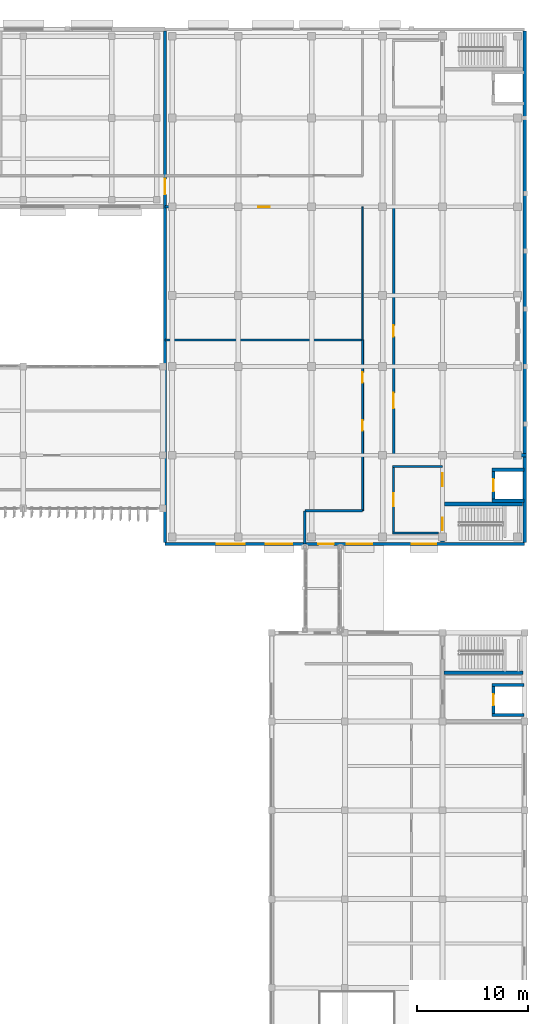
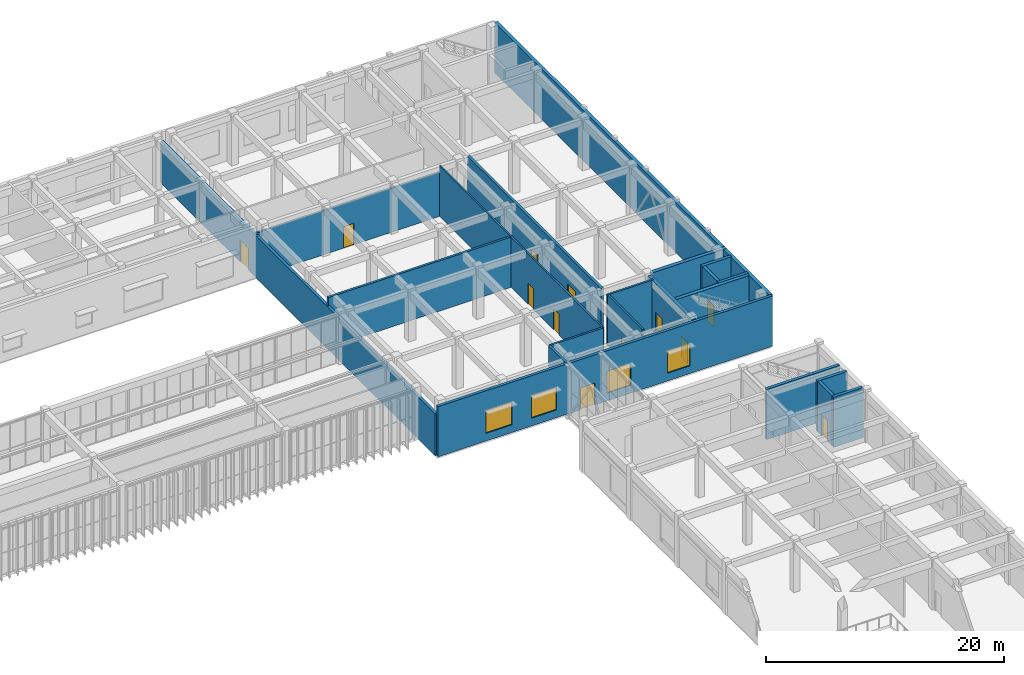
# One storey, part 44 of 64: 23 walls, 12 doors, 4 windows, 16 openings.
"""IFC4 building model written with IfcOpenShell, lengths in metres."""

from ifc_helpers import new_model, si_unit, direction, frame, frame_2d, origin, place, context, subcontext, project, spatial, rectangle, extrude, material, layer, layer_set, type_object, element, fill, save


model = new_model("IFC4")

# Units and contexts
model_context = context("Model", 3, precision=1e-05, world=origin(), true_north=direction((0.0, 1.0)))
body_context = subcontext(model_context, "Body", "Model", "MODEL_VIEW")
ifc_project = project(units=[si_unit("LENGTHUNIT", "METRE"), si_unit("AREAUNIT", "SQUARE_METRE"), si_unit("VOLUMEUNIT", "CUBIC_METRE"), si_unit("PLANEANGLEUNIT", "RADIAN"), si_unit("MASSUNIT", "GRAM", prefix="KILO")], contexts=[model_context])

# Site, building, storey
site_placement = place(None, origin())
site = spatial("IfcSite", under=ifc_project, at=site_placement, CompositionType="ELEMENT")
building_placement = place(site_placement, origin())
building = spatial("IfcBuilding", under=site, at=building_placement, Name="Cinchona Park Media Centre", CompositionType="ELEMENT")
storey_placement = place(building_placement, frame((0.0, 0.0, 10.199951171875)))
storey = spatial("IfcBuildingStorey", under=building, at=storey_placement, Name="L02", CompositionType="ELEMENT", Elevation=10.199951171875)

# Walls
ifc_material_1 = material(Name="Acoustic Double-Stud Gypsum Partition", Category="gypsum")
ifc_layer_1 = layer(ifc_material_1, 0.2099609375)
ifc_layer_set_1 = layer_set([ifc_layer_1], Name="Acoustic Double-Stud Gypsum Partition")
wall_type_1 = type_object("IfcWallType", Name="WALL-W-AC210", PredefinedType="PARTITIONING", material=ifc_layer_set_1)
wall_1_placement = place(storey_placement, frame((152.199951171875, 71.60009765625, 0.0), z_axis=(0.0, 0.0, 1.0), x_axis=(0.0, 1.0, 0.0)))
element("IfcWall", 1, at=wall_1_placement, inside=storey, type_object=wall_type_1, Name="Interior Wall W-AC210 L02", PredefinedType="PARTITIONING", context=body_context, shape_type="SweptSolid", body=[
    extrude(rectangle(XDim=3.0, YDim=0.2099609375, at=frame_2d((1.5, 0.0))), origin(), (0.0, 0.0, 1.0), 5.16015625),
])
wall_2_placement = place(storey_placement, frame((139.60009765625, 90.0, 0.0), z_axis=(0.0, 0.0, 1.0), x_axis=(1.0, 0.0, 0.0)))
element("IfcWall", 2, at=wall_2_placement, inside=storey, type_object=wall_type_1, Name="Interior Wall W-AC210 L02", PredefinedType="PARTITIONING", context=body_context, shape_type="SweptSolid", body=[
    extrude(rectangle(XDim=17.7998046875, YDim=0.2099609375, at=frame_2d((8.89990234375, 0.0))), origin(), (0.0, 0.0, 1.0), 5.16015625),
])

# Wall, openings, doors
ifc_material_2 = material(Name="Acoustic Double-Stud Gypsum Partition", Category="gypsum")
ifc_layer_2 = layer(ifc_material_2, 0.239990234375)
ifc_layer_set_2 = layer_set([ifc_layer_2], Name="Acoustic Double-Stud Gypsum Partition")
wall_type_2 = type_object("IfcWallType", Name="WALL-W-AC240", PredefinedType="PARTITIONING", material=ifc_layer_set_2)
wall_3_placement = place(storey_placement, frame((160.199951171875, 102.0, 0.0), z_axis=(0.0, 0.0, 1.0), x_axis=(0.0, -1.0, 0.0)))
wall_3 = element("IfcWall", 3, at=wall_3_placement, inside=storey, type_object=wall_type_2, Name="Interior Wall W-AC240 L02", PredefinedType="PARTITIONING", context=body_context, shape_type="SweptSolid", body=[
    extrude(rectangle(XDim=22.39990234375, YDim=0.239990234375, at=frame_2d((11.199951171875, 0.0))), origin(), (0.0, 0.0, 1.0), 5.16015625),
])
opening_1_placement = place(wall_3_placement, frame((10.699951171875, 0.0, 0.0)))
opening_1 = element("IfcOpeningElement", 4, at=opening_1_placement, cuts=wall_3, Name="Opening D298", PredefinedType="OPENING", context=body_context, shape_type="SweptSolid", body=[
    extrude(rectangle(XDim=1.0, YDim=2.10009765625, at=frame_2d((0.5, 1.050048828125))), frame((0.0, 0.1298828125, 0.0), z_axis=(0.0, -1.0, 0.0), x_axis=(1.0, 0.0, 0.0)), (0.0, 0.0, 1.0), 0.260009765625),
])
opening_2_placement = place(wall_3_placement, frame((16.77197265625, 0.0, 0.0)))
opening_2 = element("IfcOpeningElement", 5, at=opening_2_placement, cuts=wall_3, Name="Opening D299", PredefinedType="OPENING", context=body_context, shape_type="SweptSolid", body=[
    extrude(rectangle(XDim=1.39990234375, YDim=2.25, at=frame_2d((0.699951171875, 1.125))), frame((0.0, 0.1298828125, 0.0), z_axis=(0.0, -1.0, 0.0), x_axis=(1.0, 0.0, 0.0)), (0.0, 0.0, 1.0), 0.260009765625),
])
ifc_material_3 = material(Name="Acoustic Double-Seal Steel Door", Category="steel")
door_type_1 = type_object("IfcDoorType", Name="DOOR-DT-AC", OperationType="NOTDEFINED", PredefinedType="DOOR", material=ifc_material_3)
door_1_placement = place(opening_2_placement, origin())
door_1 = element("IfcDoor", 6, at=door_1_placement, inside=storey, type_object=door_type_1, Name="Interior Door D299", OperationType="SINGLE_SWING_LEFT", OverallHeight=2.25, OverallWidth=1.39990234375, PredefinedType="DOOR", context=body_context, shape_type="SweptSolid", body=[
    extrude(rectangle(XDim=1.39990234375, YDim=2.25, at=frame_2d((0.699951171875, 1.125))), frame((0.0, 0.02490234375, 0.0), z_axis=(0.0, -1.0, 0.0), x_axis=(1.0, 0.0, 0.0)), (0.0, 0.0, 1.0), 0.050048828125),
])
fill(opening_2, door_1)
ifc_material_4 = material(Name="Fire-Rated Acoustic Timber-Steel Door", Category="steel")
door_type_2 = type_object("IfcDoorType", Name="DOOR-DT04", OperationType="NOTDEFINED", PredefinedType="DOOR", material=ifc_material_4)
door_2_placement = place(opening_1_placement, origin())
door_2 = element("IfcDoor", 7, at=door_2_placement, inside=storey, type_object=door_type_2, Name="Interior Door D298", OperationType="SINGLE_SWING_RIGHT", OverallHeight=2.10009765625, OverallWidth=1.0, PredefinedType="DOOR", context=body_context, shape_type="SweptSolid", body=[
    extrude(rectangle(XDim=1.0, YDim=2.10009765625, at=frame_2d((0.5, 1.050048828125))), frame((0.0, 0.02490234375, 0.0), z_axis=(0.0, -1.0, 0.0), x_axis=(1.0, 0.0, 0.0)), (0.0, 0.0, 1.0), 0.050048828125),
])
fill(opening_1, door_2)

# Wall
ifc_material_5 = material(Name="Concrete C40/50", Category="concrete")
ifc_layer_3 = layer(ifc_material_5, 0.35009765625)
ifc_layer_set_3 = layer_set([ifc_layer_3], Name="Concrete C40/50")
wall_type_3 = type_object("IfcWallType", Name="WALL-W-CR350", PredefinedType="SHEAR", material=ifc_layer_set_3)
wall_4_placement = place(storey_placement, frame((164.951904296875, 79.60009765625, 0.0), z_axis=(0.0, 0.0, 1.0), x_axis=(1.0, 0.0, 0.0)))
element("IfcWall", 8, at=wall_4_placement, inside=storey, type_object=wall_type_3, Name="Core Shear Wall W-CR350 L02", PredefinedType="SHEAR", context=body_context, shape_type="SweptSolid", body=[
    extrude(rectangle(XDim=7.22314453125, YDim=0.35009765625, at=frame_2d((3.611572265625, 0.0))), origin(), (0.0, 0.0, 1.0), 5.16015625),
])

# Wall, openings, doors
wall_5_placement = place(storey_placement, frame((164.60009765625, 71.77490234375, 0.0), z_axis=(0.0, 0.0, 1.0), x_axis=(0.0, 1.0, 0.0)))
wall_5 = element("IfcWall", 9, at=wall_5_placement, inside=storey, type_object=wall_type_3, Name="Core Shear Wall W-CR350 L02", PredefinedType="SHEAR", context=body_context, shape_type="SweptSolid", body=[
    extrude(rectangle(XDim=7.47314453125, YDim=0.35009765625, at=frame_2d((3.736572265625, 0.0))), origin(), (0.0, 0.0, 1.0), 5.16015625),
])
opening_3_placement = place(wall_5_placement, frame((1.074951171875, 0.0, 0.0)))
opening_3 = element("IfcOpeningElement", 10, at=opening_3_placement, cuts=wall_5, Name="Opening D074", PredefinedType="OPENING", context=body_context, shape_type="SweptSolid", body=[
    extrude(rectangle(XDim=1.10009765625, YDim=2.14990234375, at=frame_2d((0.550048828125, 1.074951171875))), frame((0.0, 0.18505859375, 0.0), z_axis=(0.0, -1.0, 0.0), x_axis=(1.0, 0.0, 0.0)), (0.0, 0.0, 1.0), 0.3701171875),
])
opening_4_placement = place(wall_5_placement, frame((5.050048828125, 0.0, 0.0)))
opening_4 = element("IfcOpeningElement", 11, at=opening_4_placement, cuts=wall_5, Name="Opening D075", PredefinedType="OPENING", context=body_context, shape_type="SweptSolid", body=[
    extrude(rectangle(XDim=1.14990234375, YDim=2.199951171875, at=frame_2d((0.574951171875, 1.10009765625))), frame((0.0, 0.18505859375, 0.0), z_axis=(0.0, -1.0, 0.0), x_axis=(1.0, 0.0, 0.0)), (0.0, 0.0, 1.0), 0.3701171875),
])
ifc_material_6 = material(Name="Insulated Fire-Rated Steel Door", Category="steel")
door_type_3 = type_object("IfcDoorType", Name="DOOR-DT-FF", OperationType="NOTDEFINED", PredefinedType="DOOR", material=ifc_material_6)
door_3_placement = place(opening_4_placement, origin())
door_3 = element("IfcDoor", 12, at=door_3_placement, inside=storey, type_object=door_type_3, Name="Interior Door D075", OperationType="SINGLE_SWING_LEFT", OverallHeight=2.199951171875, OverallWidth=1.14990234375, PredefinedType="DOOR", context=body_context, shape_type="SweptSolid", body=[
    extrude(rectangle(XDim=1.14990234375, YDim=2.199951171875, at=frame_2d((0.574951171875, 1.10009765625))), frame((0.0, 0.02490234375, 0.0), z_axis=(0.0, -1.0, 0.0), x_axis=(1.0, 0.0, 0.0)), (0.0, 0.0, 1.0), 0.050048828125),
])
fill(opening_4, door_3)
ifc_material_7 = material(Name="Insulated Fire-Rated Steel Door", Category="steel")
door_type_4 = type_object("IfcDoorType", Name="DOOR-DT-ST", OperationType="NOTDEFINED", PredefinedType="DOOR", material=ifc_material_7)
door_4_placement = place(opening_3_placement, origin())
door_4 = element("IfcDoor", 13, at=door_4_placement, inside=storey, type_object=door_type_4, Name="Interior Door D074", OperationType="SINGLE_SWING_RIGHT", OverallHeight=2.14990234375, OverallWidth=1.10009765625, PredefinedType="DOOR", context=body_context, shape_type="SweptSolid", body=[
    extrude(rectangle(XDim=1.10009765625, YDim=2.14990234375, at=frame_2d((0.550048828125, 1.074951171875))), frame((0.0, 0.02490234375, 0.0), z_axis=(0.0, -1.0, 0.0), x_axis=(1.0, 0.0, 0.0)), (0.0, 0.0, 1.0), 0.050048828125),
])
fill(opening_3, door_4)

# Walls
wall_6_placement = place(storey_placement, frame((164.77490234375, 75.199951171875, 0.0), z_axis=(0.0, 0.0, 1.0), x_axis=(1.0, 0.0, 0.0)))
element("IfcWall", 14, at=wall_6_placement, inside=storey, type_object=wall_type_3, Name="Core Shear Wall W-CR350 L02", PredefinedType="SHEAR", context=body_context, shape_type="SweptSolid", body=[
    extrude(rectangle(XDim=7.050048828125, YDim=0.35009765625, at=frame_2d((3.52490234375, 0.0))), origin(), (0.0, 0.0, 1.0), 5.16015625),
])
ifc_material_8 = material(Name="Precast concrete C40/50", Category="concrete")
ifc_layer_4 = layer(ifc_material_8, 0.320068359375)
ifc_layer_set_4 = layer_set([ifc_layer_4], Name="Precast concrete C40/50")
wall_type_4 = type_object("IfcWallType", Name="WALL-W-EX02", PredefinedType="SOLIDWALL", material=ifc_layer_set_4)
wall_7_placement = place(storey_placement, frame((172.0, 117.860107421875, 0.0), z_axis=(0.0, 0.0, 1.0), x_axis=(0.0, -1.0, 0.0)))
element("IfcWall", 15, at=wall_7_placement, inside=storey, type_object=wall_type_4, Name="Exterior Wall W-EX02 V7 L02", PredefinedType="SOLIDWALL", context=body_context, shape_type="SweptSolid", body=[
    extrude(rectangle(XDim=46.1201171875, YDim=0.320068359375, at=frame_2d((23.06005859375, 0.0))), origin(), (0.0, 0.0, 1.0), 5.16015625),
])

# Wall, openings, door, windows
ifc_material_9 = material(Name="Precast concrete C40/50", Category="concrete")
ifc_layer_5 = layer(ifc_material_9, 0.27490234375)
ifc_layer_set_5 = layer_set([ifc_layer_5], Name="Precast concrete C40/50")
wall_type_5 = type_object("IfcWallType", Name="WALL-W-EX03", PredefinedType="SOLIDWALL", material=ifc_layer_set_5)
wall_8_placement = place(storey_placement, frame((172.0, 71.60009765625, 0.0), z_axis=(0.0, 0.0, 1.0), x_axis=(-1.0, 0.0, 0.0)))
wall_8 = element("IfcWall", 16, at=wall_8_placement, inside=storey, type_object=wall_type_5, Name="Exterior Wall W-EX03 V7 L02", PredefinedType="SOLIDWALL", context=body_context, shape_type="SweptSolid", body=[
    extrude(rectangle(XDim=32.39990234375, YDim=0.27490234375, at=frame_2d((16.199951171875, 0.0))), origin(), (0.0, 0.0, 1.0), 5.16015625),
])
opening_5_placement = place(wall_8_placement, frame((7.9599609375, 0.0, 0.800048828125)))
opening_5 = element("IfcOpeningElement", 17, at=opening_5_placement, cuts=wall_8, Name="Opening WN09", PredefinedType="OPENING", context=body_context, shape_type="SweptSolid", body=[
    extrude(rectangle(XDim=2.199951171875, YDim=2.25, at=frame_2d((1.10009765625, 1.125))), frame((0.0, 0.1474609375, 0.0), z_axis=(0.0, -1.0, 0.0), x_axis=(1.0, 0.0, 0.0)), (0.0, 0.0, 1.0), 0.294921875),
])
opening_6_placement = place(wall_8_placement, frame((13.719970703125, 0.0, 0.800048828125)))
opening_6 = element("IfcOpeningElement", 18, at=opening_6_placement, cuts=wall_8, Name="Opening WN10", PredefinedType="OPENING", context=body_context, shape_type="SweptSolid", body=[
    extrude(rectangle(XDim=2.300048828125, YDim=2.25, at=frame_2d((1.14990234375, 1.125))), frame((0.0, 0.1474609375, 0.0), z_axis=(0.0, -1.0, 0.0), x_axis=(1.0, 0.0, 0.0)), (0.0, 0.0, 1.0), 0.294921875),
])
opening_7_placement = place(wall_8_placement, frame((20.929931640625, 0.0, 0.800048828125)))
opening_7 = element("IfcOpeningElement", 19, at=opening_7_placement, cuts=wall_8, Name="Opening WN11", PredefinedType="OPENING", context=body_context, shape_type="SweptSolid", body=[
    extrude(rectangle(XDim=2.39990234375, YDim=2.300048828125, at=frame_2d((1.199951171875, 1.14990234375))), frame((0.0, 0.1474609375, 0.0), z_axis=(0.0, -1.0, 0.0), x_axis=(1.0, 0.0, 0.0)), (0.0, 0.0, 1.0), 0.294921875),
])
opening_8_placement = place(wall_8_placement, frame((25.239990234375, 0.0, 0.800048828125)))
opening_8 = element("IfcOpeningElement", 20, at=opening_8_placement, cuts=wall_8, Name="Opening WN12", PredefinedType="OPENING", context=body_context, shape_type="SweptSolid", body=[
    extrude(rectangle(XDim=2.5, YDim=2.300048828125, at=frame_2d((1.25, 1.14990234375))), frame((0.0, 0.1474609375, 0.0), z_axis=(0.0, -1.0, 0.0), x_axis=(1.0, 0.0, 0.0)), (0.0, 0.0, 1.0), 0.294921875),
])
opening_9_placement = place(wall_8_placement, frame((17.179931640625, 0.0, 0.0)))
opening_9 = element("IfcOpeningElement", 21, at=opening_9_placement, cuts=wall_8, Name="Opening D138", PredefinedType="OPENING", context=body_context, shape_type="SweptSolid", body=[
    extrude(rectangle(XDim=1.39990234375, YDim=2.25, at=frame_2d((0.699951171875, 1.125))), frame((0.0, 0.1474609375, 0.0), z_axis=(0.0, -1.0, 0.0), x_axis=(1.0, 0.0, 0.0)), (0.0, 0.0, 1.0), 0.294921875),
])
door_5_placement = place(opening_9_placement, origin())
door_5 = element("IfcDoor", 22, at=door_5_placement, inside=storey, type_object=door_type_1, Name="Interior Door D138", OperationType="SINGLE_SWING_RIGHT", OverallHeight=2.25, OverallWidth=1.39990234375, PredefinedType="DOOR", context=body_context, shape_type="SweptSolid", body=[
    extrude(rectangle(XDim=1.39990234375, YDim=2.25, at=frame_2d((0.699951171875, 1.125))), frame((0.0, 0.02490234375, 0.0), z_axis=(0.0, -1.0, 0.0), x_axis=(1.0, 0.0, 0.0)), (0.0, 0.0, 1.0), 0.050048828125),
])
fill(opening_9, door_5)
ifc_material_10 = material(Name="Thermally Broken Aluminium Solar-Control Window", Category="aluminium")
window_type_1 = type_object("IfcWindowType", Name="WIN-WN09", PartitioningType="SINGLE_PANEL", PredefinedType="WINDOW", material=ifc_material_10)
window_1_placement = place(opening_5_placement, origin())
window_1 = element("IfcWindow", 23, at=window_1_placement, inside=storey, type_object=window_type_1, Name="Window WN09 L02", OverallHeight=2.25, OverallWidth=2.199951171875, PartitioningType="SINGLE_PANEL", PredefinedType="WINDOW", context=body_context, shape_type="SweptSolid", body=[
    extrude(rectangle(XDim=2.199951171875, YDim=2.25, at=frame_2d((1.10009765625, 1.125))), frame((0.0, 0.030029296875, 0.0), z_axis=(0.0, -1.0, 0.0), x_axis=(1.0, 0.0, 0.0)), (0.0, 0.0, 1.0), 0.06005859375),
])
fill(opening_5, window_1)
ifc_material_11 = material(Name="Thermally Broken Aluminium Solar-Control Window", Category="aluminium")
window_type_2 = type_object("IfcWindowType", Name="WIN-WN10", PartitioningType="SINGLE_PANEL", PredefinedType="WINDOW", material=ifc_material_11)
window_2_placement = place(opening_6_placement, origin())
window_2 = element("IfcWindow", 24, at=window_2_placement, inside=storey, type_object=window_type_2, Name="Window WN10 L02", OverallHeight=2.25, OverallWidth=2.300048828125, PartitioningType="SINGLE_PANEL", PredefinedType="WINDOW", context=body_context, shape_type="SweptSolid", body=[
    extrude(rectangle(XDim=2.300048828125, YDim=2.25, at=frame_2d((1.14990234375, 1.125))), frame((0.0, 0.030029296875, 0.0), z_axis=(0.0, -1.0, 0.0), x_axis=(1.0, 0.0, 0.0)), (0.0, 0.0, 1.0), 0.06005859375),
])
fill(opening_6, window_2)
ifc_material_12 = material(Name="Thermally Broken Aluminium Solar-Control Window", Category="aluminium")
window_type_3 = type_object("IfcWindowType", Name="WIN-WN11", PartitioningType="SINGLE_PANEL", PredefinedType="WINDOW", material=ifc_material_12)
window_3_placement = place(opening_7_placement, origin())
window_3 = element("IfcWindow", 25, at=window_3_placement, inside=storey, type_object=window_type_3, Name="Window WN11 L02", OverallHeight=2.300048828125, OverallWidth=2.39990234375, PartitioningType="SINGLE_PANEL", PredefinedType="WINDOW", context=body_context, shape_type="SweptSolid", body=[
    extrude(rectangle(XDim=2.39990234375, YDim=2.300048828125, at=frame_2d((1.199951171875, 1.14990234375))), frame((0.0, 0.030029296875, 0.0), z_axis=(0.0, -1.0, 0.0), x_axis=(1.0, 0.0, 0.0)), (0.0, 0.0, 1.0), 0.06005859375),
])
fill(opening_7, window_3)
ifc_material_13 = material(Name="Thermally Broken Aluminium Solar-Control Window", Category="aluminium")
window_type_4 = type_object("IfcWindowType", Name="WIN-WN12", PartitioningType="SINGLE_PANEL", PredefinedType="WINDOW", material=ifc_material_13)
window_4_placement = place(opening_8_placement, origin())
window_4 = element("IfcWindow", 26, at=window_4_placement, inside=storey, type_object=window_type_4, Name="Window WN12 L02", OverallHeight=2.300048828125, OverallWidth=2.5, PartitioningType="SINGLE_PANEL", PredefinedType="WINDOW", context=body_context, shape_type="SweptSolid", body=[
    extrude(rectangle(XDim=2.5, YDim=2.300048828125, at=frame_2d((1.25, 1.14990234375))), frame((0.0, 0.030029296875, 0.0), z_axis=(0.0, -1.0, 0.0), x_axis=(1.0, 0.0, 0.0)), (0.0, 0.0, 1.0), 0.06005859375),
])
fill(opening_8, window_4)

# Wall, opening, door
ifc_material_14 = material(Name="Precast concrete C40/50", Category="concrete")
ifc_layer_6 = layer(ifc_material_14, 0.25)
ifc_layer_set_6 = layer_set([ifc_layer_6], Name="Precast concrete C40/50")
wall_type_6 = type_object("IfcWallType", Name="WALL-W-EX04", PredefinedType="SOLIDWALL", material=ifc_layer_set_6)
wall_9_placement = place(storey_placement, frame((139.60009765625, 71.739990234375, 0.0), z_axis=(0.0, 0.0, 1.0), x_axis=(0.0, 1.0, 0.0)))
wall_9 = element("IfcWall", 27, at=wall_9_placement, inside=storey, type_object=wall_type_6, Name="Exterior Wall W-EX04 V7 L02", PredefinedType="SOLIDWALL", context=body_context, shape_type="SweptSolid", body=[
    extrude(rectangle(XDim=46.1201171875, YDim=0.25, at=frame_2d((23.06005859375, 0.0))), origin(), (0.0, 0.0, 1.0), 4.31005859375),
])
opening_10_placement = place(wall_9_placement, frame((31.3798828125, 0.0, 0.0)))
opening_10 = element("IfcOpeningElement", 28, at=opening_10_placement, cuts=wall_9, Name="Opening D133", PredefinedType="OPENING", context=body_context, shape_type="SweptSolid", body=[
    extrude(rectangle(XDim=1.39990234375, YDim=2.25, at=frame_2d((0.699951171875, 1.125))), frame((0.0, 0.135009765625, 0.0), z_axis=(0.0, -1.0, 0.0), x_axis=(1.0, 0.0, 0.0)), (0.0, 0.0, 1.0), 0.27001953125),
])
door_6_placement = place(opening_10_placement, origin())
door_6 = element("IfcDoor", 29, at=door_6_placement, inside=storey, type_object=door_type_1, Name="Interior Door D133", OperationType="SINGLE_SWING_LEFT", OverallHeight=2.25, OverallWidth=1.39990234375, PredefinedType="DOOR", context=body_context, shape_type="SweptSolid", body=[
    extrude(rectangle(XDim=1.39990234375, YDim=2.25, at=frame_2d((0.699951171875, 1.125))), frame((0.0, 0.02490234375, 0.0), z_axis=(0.0, -1.0, 0.0), x_axis=(1.0, 0.0, 0.0)), (0.0, 0.0, 1.0), 0.050048828125),
])
fill(opening_10, door_6)

# Wall
ifc_material_15 = material(Name="Fire-Rated Gypsum Stud Partition", Category="gypsum")
ifc_layer_7 = layer(ifc_material_15, 0.14990234375)
ifc_layer_set_7 = layer_set([ifc_layer_7], Name="Fire-Rated Gypsum Stud Partition")
wall_type_7 = type_object("IfcWallType", Name="WALL-W-PT150", PredefinedType="PARTITIONING", material=ifc_layer_set_7)
wall_10_placement = place(storey_placement, frame((157.39990234375, 90.0, 0.0), z_axis=(0.0, 0.0, 1.0), x_axis=(0.0, 1.0, 0.0)))
element("IfcWall", 30, at=wall_10_placement, inside=storey, type_object=wall_type_7, Name="Interior Wall W-PT150 L02", PredefinedType="PARTITIONING", context=body_context, shape_type="SweptSolid", body=[
    extrude(rectangle(XDim=12.0, YDim=0.14990234375, at=frame_2d((6.0, 0.0))), origin(), (0.0, 0.0, 1.0), 5.16015625),
])

# Wall, openings, doors
ifc_material_16 = material(Name="Fire-Rated Gypsum Stud Partition", Category="gypsum")
ifc_layer_8 = layer(ifc_material_16, 0.1650390625)
ifc_layer_set_8 = layer_set([ifc_layer_8], Name="Fire-Rated Gypsum Stud Partition")
wall_type_8 = type_object("IfcWallType", Name="WALL-W-PT165", PredefinedType="PARTITIONING", material=ifc_layer_set_8)
wall_11_placement = place(storey_placement, frame((157.39990234375, 74.60009765625, 0.0), z_axis=(0.0, 0.0, 1.0), x_axis=(0.0, 1.0, 0.0)))
wall_11 = element("IfcWall", 31, at=wall_11_placement, inside=storey, type_object=wall_type_8, Name="Interior Wall W-PT165 L02", PredefinedType="PARTITIONING", context=body_context, shape_type="SweptSolid", body=[
    extrude(rectangle(XDim=15.39990234375, YDim=0.1650390625, at=frame_2d((7.699951171875, 0.0))), origin(), (0.0, 0.0, 1.0), 5.16015625),
])
opening_11_placement = place(wall_11_placement, frame((7.22998046875, 0.0, 0.0)))
opening_11 = element("IfcOpeningElement", 32, at=opening_11_placement, cuts=wall_11, Name="Opening D293", PredefinedType="OPENING", context=body_context, shape_type="SweptSolid", body=[
    extrude(rectangle(XDim=0.93994140625, YDim=2.14990234375, at=frame_2d((0.469970703125, 1.074951171875))), frame((0.0, 0.092529296875, 0.0), z_axis=(0.0, -1.0, 0.0), x_axis=(1.0, 0.0, 0.0)), (0.0, 0.0, 1.0), 0.18505859375),
])
opening_12_placement = place(wall_11_placement, frame((11.5419921875, 0.0, 0.0)))
opening_12 = element("IfcOpeningElement", 33, at=opening_12_placement, cuts=wall_11, Name="Opening D294", PredefinedType="OPENING", context=body_context, shape_type="SweptSolid", body=[
    extrude(rectangle(XDim=0.93994140625, YDim=2.14990234375, at=frame_2d((0.469970703125, 1.074951171875))), frame((0.0, 0.092529296875, 0.0), z_axis=(0.0, -1.0, 0.0), x_axis=(1.0, 0.0, 0.0)), (0.0, 0.0, 1.0), 0.18505859375),
])
ifc_material_17 = material(Name="Fire-Rated Acoustic Timber-Steel Door", Category="steel")
door_type_5 = type_object("IfcDoorType", Name="DOOR-DT24", OperationType="NOTDEFINED", PredefinedType="DOOR", material=ifc_material_17)
door_7_placement = place(opening_11_placement, origin())
door_7 = element("IfcDoor", 34, at=door_7_placement, inside=storey, type_object=door_type_5, Name="Interior Door D293", OperationType="SINGLE_SWING_LEFT", OverallHeight=2.14990234375, OverallWidth=0.93994140625, PredefinedType="DOOR", context=body_context, shape_type="SweptSolid", body=[
    extrude(rectangle(XDim=0.93994140625, YDim=2.14990234375, at=frame_2d((0.469970703125, 1.074951171875))), frame((0.0, 0.02490234375, 0.0), z_axis=(0.0, -1.0, 0.0), x_axis=(1.0, 0.0, 0.0)), (0.0, 0.0, 1.0), 0.050048828125),
])
fill(opening_11, door_7)
door_8_placement = place(opening_12_placement, origin())
door_8 = element("IfcDoor", 35, at=door_8_placement, inside=storey, type_object=door_type_5, Name="Interior Door D294", OperationType="SINGLE_SWING_RIGHT", OverallHeight=2.14990234375, OverallWidth=0.93994140625, PredefinedType="DOOR", context=body_context, shape_type="SweptSolid", body=[
    extrude(rectangle(XDim=0.93994140625, YDim=2.14990234375, at=frame_2d((0.469970703125, 1.074951171875))), frame((0.0, 0.02490234375, 0.0), z_axis=(0.0, -1.0, 0.0), x_axis=(1.0, 0.0, 0.0)), (0.0, 0.0, 1.0), 0.050048828125),
])
fill(opening_12, door_8)

# Walls
ifc_material_18 = material(Name="Fire-Rated Gypsum Stud Partition", Category="gypsum")
ifc_layer_9 = layer(ifc_material_18, 0.18994140625)
ifc_layer_set_9 = layer_set([ifc_layer_9], Name="Fire-Rated Gypsum Stud Partition")
wall_type_9 = type_object("IfcWallType", Name="WALL-W-PT190", PredefinedType="PARTITIONING", material=ifc_layer_set_9)
wall_12_placement = place(storey_placement, frame((160.10498046875, 72.60009765625, 0.0), z_axis=(0.0, 0.0, 1.0), x_axis=(1.0, 0.0, 0.0)))
element("IfcWall", 36, at=wall_12_placement, inside=storey, type_object=wall_type_9, Name="Interior Wall W-PT190 L02", PredefinedType="PARTITIONING", context=body_context, shape_type="SweptSolid", body=[
    extrude(rectangle(XDim=4.14306640625, YDim=0.18994140625, at=frame_2d((2.071533203125, 0.0))), origin(), (0.0, 0.0, 1.0), 4.510009765625),
])
wall_13_placement = place(storey_placement, frame((160.10498046875, 78.60009765625, 0.0), z_axis=(0.0, 0.0, 1.0), x_axis=(1.0, 0.0, 0.0)))
element("IfcWall", 37, at=wall_13_placement, inside=storey, type_object=wall_type_9, Name="Interior Wall W-PT190 L02", PredefinedType="PARTITIONING", context=body_context, shape_type="SweptSolid", body=[
    extrude(rectangle(XDim=4.4951171875, YDim=0.18994140625, at=frame_2d((2.24755859375, 0.0))), origin(), (0.0, 0.0, 1.0), 5.16015625),
])

# Wall, opening, door
wall_14_placement = place(storey_placement, frame((160.199951171875, 72.695068359375, 0.0), z_axis=(0.0, 0.0, 1.0), x_axis=(0.0, 1.0, 0.0)))
wall_14 = element("IfcWall", 38, at=wall_14_placement, inside=storey, type_object=wall_type_9, Name="Interior Wall W-PT190 L02", PredefinedType="PARTITIONING", context=body_context, shape_type="SweptSolid", body=[
    extrude(rectangle(XDim=5.809814453125, YDim=0.18994140625, at=frame_2d((2.90478515625, 0.0))), origin(), (0.0, 0.0, 1.0), 5.16015625),
])
opening_13_placement = place(wall_14_placement, frame((2.330078125, 0.0, 0.0)))
opening_13 = element("IfcOpeningElement", 39, at=opening_13_placement, cuts=wall_14, Name="Opening D076", PredefinedType="OPENING", context=body_context, shape_type="SweptSolid", body=[
    extrude(rectangle(XDim=1.14990234375, YDim=2.199951171875, at=frame_2d((0.574951171875, 1.10009765625))), frame((0.0, 0.10498046875, 0.0), z_axis=(0.0, -1.0, 0.0), x_axis=(1.0, 0.0, 0.0)), (0.0, 0.0, 1.0), 0.2099609375),
])
door_9_placement = place(opening_13_placement, origin())
door_9 = element("IfcDoor", 40, at=door_9_placement, inside=storey, type_object=door_type_3, Name="Interior Door D076", OperationType="SINGLE_SWING_RIGHT", OverallHeight=2.199951171875, OverallWidth=1.14990234375, PredefinedType="DOOR", context=body_context, shape_type="SweptSolid", body=[
    extrude(rectangle(XDim=1.14990234375, YDim=2.199951171875, at=frame_2d((0.574951171875, 1.10009765625))), frame((0.0, 0.02490234375, 0.0), z_axis=(0.0, -1.0, 0.0), x_axis=(1.0, 0.0, 0.0)), (0.0, 0.0, 1.0), 0.050048828125),
])
fill(opening_13, door_9)

wall_15_placement = place(storey_placement, frame((157.39990234375, 102.0, 0.0), z_axis=(0.0, 0.0, 1.0), x_axis=(-1.0, 0.0, 0.0)))
wall_15 = element("IfcWall", 41, at=wall_15_placement, inside=storey, type_object=wall_type_9, Name="Interior Wall W-PT190 L02", PredefinedType="PARTITIONING", context=body_context, shape_type="SweptSolid", body=[
    extrude(rectangle(XDim=17.7998046875, YDim=0.18994140625, at=frame_2d((8.89990234375, 0.0))), origin(), (0.0, 0.0, 1.0), 4.510009765625),
])
opening_14_placement = place(wall_15_placement, frame((8.3798828125, 0.0, 0.0)))
opening_14 = element("IfcOpeningElement", 42, at=opening_14_placement, cuts=wall_15, Name="Opening D295", PredefinedType="OPENING", context=body_context, shape_type="SweptSolid", body=[
    extrude(rectangle(XDim=1.0400390625, YDim=2.199951171875, at=frame_2d((0.52001953125, 1.10009765625))), frame((0.0, 0.10498046875, 0.0), z_axis=(0.0, -1.0, 0.0), x_axis=(1.0, 0.0, 0.0)), (0.0, 0.0, 1.0), 0.2099609375),
])
ifc_material_19 = material(Name="Fire-Rated Acoustic Timber-Steel Door", Category="steel")
door_type_6 = type_object("IfcDoorType", Name="DOOR-DT25", OperationType="NOTDEFINED", PredefinedType="DOOR", material=ifc_material_19)
door_10_placement = place(opening_14_placement, origin())
door_10 = element("IfcDoor", 43, at=door_10_placement, inside=storey, type_object=door_type_6, Name="Interior Door D295", OperationType="SINGLE_SWING_LEFT", OverallHeight=2.199951171875, OverallWidth=1.0400390625, PredefinedType="DOOR", context=body_context, shape_type="SweptSolid", body=[
    extrude(rectangle(XDim=1.0400390625, YDim=2.199951171875, at=frame_2d((0.52001953125, 1.10009765625))), frame((0.0, 0.02490234375, 0.0), z_axis=(0.0, -1.0, 0.0), x_axis=(1.0, 0.0, 0.0)), (0.0, 0.0, 1.0), 0.050048828125),
])
fill(opening_14, door_10)

# Walls
wall_16_placement = place(storey_placement, frame((152.199951171875, 74.60009765625, 0.0), z_axis=(0.0, 0.0, 1.0), x_axis=(1.0, 0.0, 0.0)))
element("IfcWall", 44, at=wall_16_placement, inside=storey, type_object=wall_type_9, Name="Interior Wall W-PT190 L02", PredefinedType="PARTITIONING", context=body_context, shape_type="SweptSolid", body=[
    extrude(rectangle(XDim=5.199951171875, YDim=0.18994140625, at=frame_2d((2.60009765625, 0.0))), origin(), (0.0, 0.0, 1.0), 5.16015625),
])
ifc_material_20 = material(Name="Concrete C40/50", Category="concrete")
ifc_layer_10 = layer(ifc_material_20, 0.2900390625)
ifc_layer_set_10 = layer_set([ifc_layer_10], Name="Concrete C40/50")
wall_type_10 = type_object("IfcWallType", Name="WALL-W-SH290", PredefinedType="SHEAR", material=ifc_layer_set_10)
for number, where, z_axis, x_axis, name in (
    (45, (169.054931640625, 75.5, 0.0), (0.0, 0.0, 1.0), (1.0, 0.0, 0.0), "Core Shear Wall W-SH290 L02"),
    (46, (169.054931640625, 78.300048828125, 0.0), (0.0, 0.0, 1.0), (1.0, 0.0, 0.0), "Core Shear Wall W-SH290 L02"),
):
    element("IfcWall", number, at=place(storey_placement, frame(where, z_axis=z_axis, x_axis=x_axis)), inside=storey, type_object=wall_type_10, Name=name, PredefinedType="SHEAR", context=body_context, shape_type="SweptSolid", body=[
        extrude(rectangle(XDim=2.89013671875, YDim=0.2900390625, at=frame_2d((1.445068359375, 0.0))), origin(), (0.0, 0.0, 1.0), 5.16015625),
    ])

# Wall, opening, door
wall_17_placement = place(storey_placement, frame((169.199951171875, 75.64501953125, 0.0), z_axis=(0.0, 0.0, 1.0), x_axis=(0.0, 1.0, 0.0)))
wall_17 = element("IfcWall", 47, at=wall_17_placement, inside=storey, type_object=wall_type_10, Name="Core Shear Wall W-SH290 L02", PredefinedType="SHEAR", context=body_context, shape_type="SweptSolid", body=[
    extrude(rectangle(XDim=2.510009765625, YDim=0.2900390625, at=frame_2d((1.2548828125, 0.0))), origin(), (0.0, 0.0, 1.0), 5.16015625),
])
opening_15_placement = place(wall_17_placement, frame((0.705078125, 0.0, 0.0)))
opening_15 = element("IfcOpeningElement", 48, at=opening_15_placement, cuts=wall_17, Name="Opening LD22", PredefinedType="OPENING", context=body_context, shape_type="SweptSolid", body=[
    extrude(rectangle(XDim=1.10009765625, YDim=2.14990234375, at=frame_2d((0.550048828125, 1.074951171875))), frame((0.0, 0.155029296875, 0.0), z_axis=(0.0, -1.0, 0.0), x_axis=(1.0, 0.0, 0.0)), (0.0, 0.0, 1.0), 0.31005859375),
])
ifc_material_21 = material(Name="Stainless Steel Sliding Lift Landing Door", Category="steel")
door_type_7 = type_object("IfcDoorType", Name="DOOR-DT-LD1", OperationType="NOTDEFINED", PredefinedType="DOOR", material=ifc_material_21)
door_11_placement = place(opening_15_placement, origin())
door_11 = element("IfcDoor", 49, at=door_11_placement, inside=storey, type_object=door_type_7, Name="Lift Landing Door LD22", OperationType="SLIDING_TO_LEFT", OverallHeight=2.14990234375, OverallWidth=1.10009765625, PredefinedType="DOOR", context=body_context, shape_type="SweptSolid", body=[
    extrude(rectangle(XDim=1.10009765625, YDim=2.14990234375, at=frame_2d((0.550048828125, 1.074951171875))), frame((0.0, 0.02490234375, 0.0), z_axis=(0.0, -1.0, 0.0), x_axis=(1.0, 0.0, 0.0)), (0.0, 0.0, 1.0), 0.050048828125),
])
fill(opening_15, door_11)

# Walls
wall_18_placement = place(storey_placement, frame((164.7451171875, 60.0, 0.0), z_axis=(0.0, 0.0, 1.0), x_axis=(1.0, 0.0, 0.0)))
element("IfcWall", 50, at=wall_18_placement, inside=storey, type_object=wall_type_10, Name="Core Shear Wall W-SH290 L02", PredefinedType="SHEAR", context=body_context, shape_type="SweptSolid", body=[
    extrude(rectangle(XDim=7.10986328125, YDim=0.2900390625, at=frame_2d((3.554931640625, 0.0))), origin(), (0.0, 0.0, 1.0), 5.150146484375),
])
for number, where, z_axis, x_axis, name in (
    (51, (169.054931640625, 56.199951171875, 0.0), (0.0, 0.0, 1.0), (1.0, 0.0, 0.0), "Core Shear Wall W-SH290 L02"),
    (52, (169.054931640625, 58.89990234375, 0.0), (0.0, 0.0, 1.0), (1.0, 0.0, 0.0), "Core Shear Wall W-SH290 L02"),
):
    element("IfcWall", number, at=place(storey_placement, frame(where, z_axis=z_axis, x_axis=x_axis)), inside=storey, type_object=wall_type_10, Name=name, PredefinedType="SHEAR", context=body_context, shape_type="SweptSolid", body=[
        extrude(rectangle(XDim=2.89013671875, YDim=0.2900390625, at=frame_2d((1.445068359375, 0.0))), origin(), (0.0, 0.0, 1.0), 5.150146484375),
    ])

# Wall, opening, door
wall_19_placement = place(storey_placement, frame((169.199951171875, 56.344970703125, 0.0), z_axis=(0.0, 0.0, 1.0), x_axis=(0.0, 1.0, 0.0)))
wall_19 = element("IfcWall", 53, at=wall_19_placement, inside=storey, type_object=wall_type_10, Name="Core Shear Wall W-SH290 L02", PredefinedType="SHEAR", context=body_context, shape_type="SweptSolid", body=[
    extrude(rectangle(XDim=2.409912109375, YDim=0.2900390625, at=frame_2d((1.205078125, 0.0))), origin(), (0.0, 0.0, 1.0), 5.150146484375),
])
opening_16_placement = place(wall_19_placement, frame((0.705078125, 0.0, 0.0)))
opening_16 = element("IfcOpeningElement", 54, at=opening_16_placement, cuts=wall_19, Name="Opening LD28", PredefinedType="OPENING", context=body_context, shape_type="SweptSolid", body=[
    extrude(rectangle(XDim=1.0, YDim=2.14990234375, at=frame_2d((0.5, 1.074951171875))), frame((0.0, 0.155029296875, 0.0), z_axis=(0.0, -1.0, 0.0), x_axis=(1.0, 0.0, 0.0)), (0.0, 0.0, 1.0), 0.31005859375),
])
ifc_material_22 = material(Name="Stainless Steel Sliding Lift Landing Door", Category="steel")
door_type_8 = type_object("IfcDoorType", Name="DOOR-DT-LD2", OperationType="NOTDEFINED", PredefinedType="DOOR", material=ifc_material_22)
door_12_placement = place(opening_16_placement, origin())
door_12 = element("IfcDoor", 55, at=door_12_placement, inside=storey, type_object=door_type_8, Name="Lift Landing Door LD28", OperationType="SLIDING_TO_LEFT", OverallHeight=2.14990234375, OverallWidth=1.0, PredefinedType="DOOR", context=body_context, shape_type="SweptSolid", body=[
    extrude(rectangle(XDim=1.0, YDim=2.14990234375, at=frame_2d((0.5, 1.074951171875))), frame((0.0, 0.02490234375, 0.0), z_axis=(0.0, -1.0, 0.0), x_axis=(1.0, 0.0, 0.0)), (0.0, 0.0, 1.0), 0.050048828125),
])
fill(opening_16, door_12)

save(model, "model.ifc")
